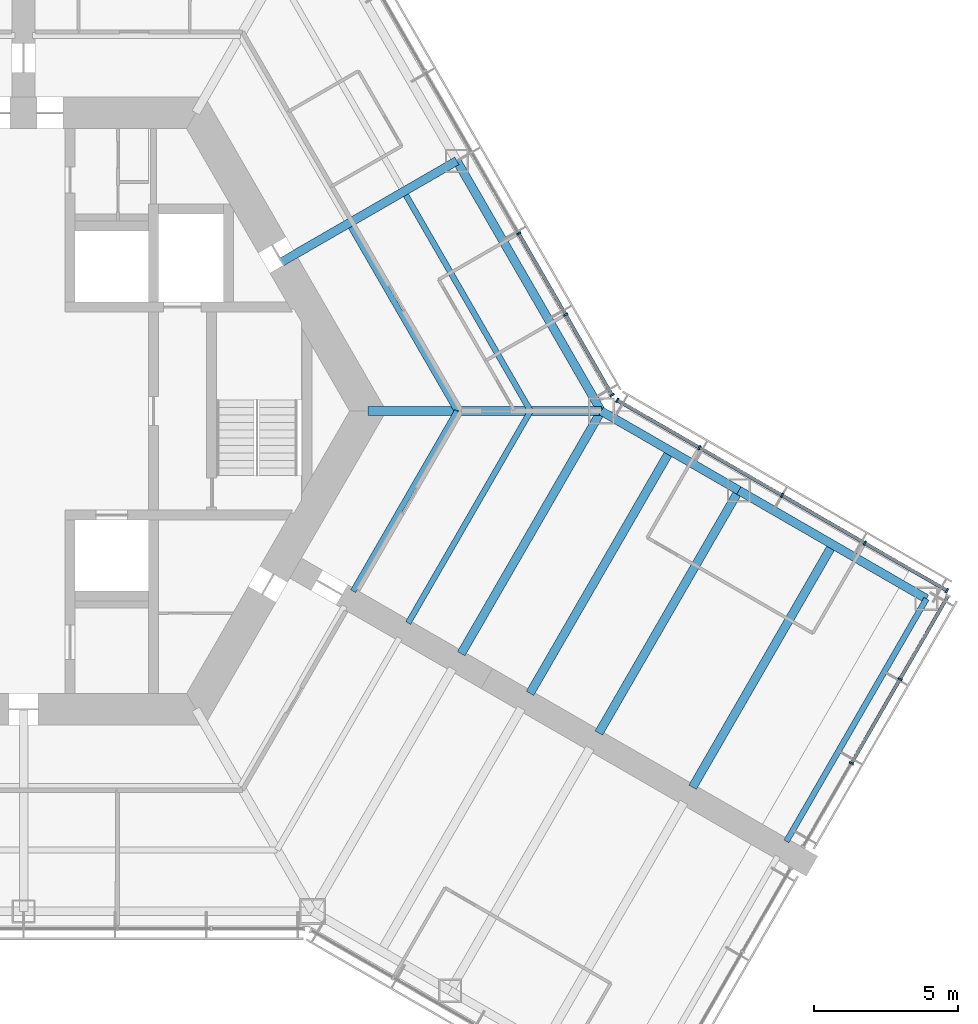
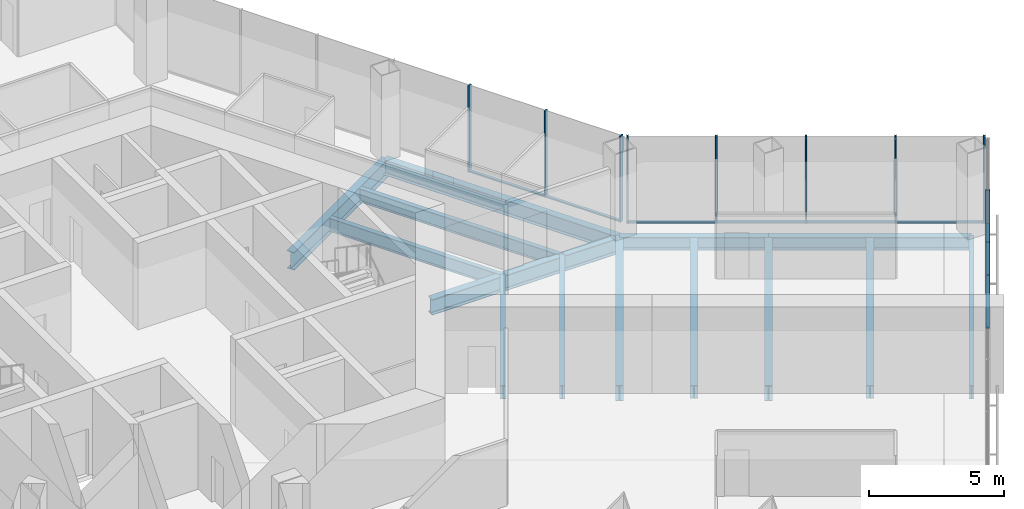
# One storey, part 6 of 18: 18 members, 14 beams, 3 elements without a shape of their own.
"""IFC4 building model written with IfcOpenShell, lengths in metres."""

from ifc_helpers import new_model, si_unit, direction, frame, origin, origin_2d, place, context, subcontext, project, spatial, rectangle, i_section, extrude, material, material_profile, profile_set, type_object, element, aggregate, save


model = new_model("IFC4")

# Units and contexts
model_context = context("Model", 3, precision=1e-05, world=origin(), true_north=direction((0.0, 1.0)))
body_context = subcontext(model_context, "Body", "Model", "MODEL_VIEW")
ifc_project = project(units=[si_unit("LENGTHUNIT", "METRE"), si_unit("AREAUNIT", "SQUARE_METRE"), si_unit("VOLUMEUNIT", "CUBIC_METRE"), si_unit("PLANEANGLEUNIT", "RADIAN"), si_unit("MASSUNIT", "GRAM", prefix="KILO")], contexts=[model_context])

# Site, building, storey
site_placement = place(None, origin())
site = spatial("IfcSite", under=ifc_project, at=site_placement, CompositionType="ELEMENT")
building_placement = place(site_placement, origin())
building = spatial("IfcBuilding", under=site, at=building_placement, Name="Kasaneha Research Tower", CompositionType="ELEMENT")
storey_placement = place(building_placement, frame((0.0, 0.0, 61.199951171875)))
storey = spatial("IfcBuildingStorey", under=building, at=storey_placement, Name="L15", CompositionType="ELEMENT", Elevation=61.199951171875)

# Beams
ifc_material_1 = material(Name="Steel SN490B", Category="steel")
ifc_material_profile_1 = material_profile(ifc_material_1, i_section(OverallWidth=0.199951171875, OverallDepth=0.60009765625, WebThickness=0.010986328125, FlangeThickness=0.01708984375, FilletRadius=0.012939453125, at=origin_2d()), Name="H-600x200x11x17")
ifc_profile_set_1 = profile_set([ifc_material_profile_1], Name="Steel SN490B")
beam_type_1 = type_object("IfcBeamType", Name="B1-3 secondary beam H-600x200x11x17", PredefinedType="JOIST", material=ifc_profile_set_1)
beam_1_placement = place(storey_placement, frame((15.010986328125, 0.0, -0.449951171875), z_axis=(-0.499994443168, 0.866028611999, 0.0), x_axis=(-0.866028611999, -0.499994443168, 0.0)))
element("IfcBeam", 1, at=beam_1_placement, inside=storey, type_object=beam_type_1, Name="Secondary beam RS030L1 L15", PredefinedType="JOIST", context=body_context, shape_type="SweptSolid", body=[
    extrude(i_section(OverallWidth=0.199951171875, OverallDepth=0.60009765625, WebThickness=0.010986328125, FlangeThickness=0.01708984375, FilletRadius=0.012939453125, at=origin_2d()), origin(), (0.0, 0.0, 1.0), 7.35546875),
])
beam_2_placement = place(storey_placement, frame((17.551513671875, 0.0, -0.449951171875), z_axis=(-0.5000050195, 0.866022505755, 0.0), x_axis=(-0.866022505755, -0.5000050195, 0.0)))
element("IfcBeam", 2, at=beam_2_placement, inside=storey, type_object=beam_type_1, Name="Secondary beam RS030L2 L15", PredefinedType="JOIST", context=body_context, shape_type="SweptSolid", body=[
    extrude(i_section(OverallWidth=0.199951171875, OverallDepth=0.60009765625, WebThickness=0.010986328125, FlangeThickness=0.01708984375, FilletRadius=0.012939453125, at=origin_2d()), origin(), (0.0, 0.0, 1.0), 8.6259765625),
])
beam_3_placement = place(storey_placement, frame((15.010986328125, 0.0, -0.449951171875), z_axis=(-0.499972735707, -0.866041144259, 0.0), x_axis=(0.866041144259, -0.499972735707, 0.0)))
element("IfcBeam", 3, at=beam_3_placement, inside=storey, type_object=beam_type_1, Name="Secondary beam RS330R1 L15", PredefinedType="JOIST", context=body_context, shape_type="SweptSolid", body=[
    extrude(i_section(OverallWidth=0.199951171875, OverallDepth=0.60009765625, WebThickness=0.010986328125, FlangeThickness=0.01708984375, FilletRadius=0.012939453125, at=origin_2d()), origin(), (0.0, 0.0, 1.0), 7.20556640625),
])
beam_4_placement = place(storey_placement, frame((17.551513671875, 0.0, -0.449951171875), z_axis=(-0.500020829043, -0.866013377797, 0.0), x_axis=(0.866013377797, -0.500020829043, 0.0)))
element("IfcBeam", 4, at=beam_4_placement, inside=storey, type_object=beam_type_1, Name="Secondary beam RS330R2 L15", PredefinedType="JOIST", context=body_context, shape_type="SweptSolid", body=[
    extrude(i_section(OverallWidth=0.199951171875, OverallDepth=0.60009765625, WebThickness=0.010986328125, FlangeThickness=0.01708984375, FilletRadius=0.012939453125, at=origin_2d()), origin(), (0.0, 0.0, 1.0), 8.475830078125),
])
ifc_material_2 = material(Name="Steel SN490B", Category="steel")
ifc_material_profile_2 = material_profile(ifc_material_2, i_section(OverallWidth=0.300048828125, OverallDepth=0.58203125, WebThickness=0.011962890625, FlangeThickness=0.01708984375, FilletRadius=0.012939453125, at=origin_2d()), Name="H-582x300x12x17")
ifc_profile_set_2 = profile_set([ifc_material_profile_2], Name="Steel SN490B")
beam_type_2 = type_object("IfcBeamType", Name="B2-3 secondary beam H-582x300x12x17", PredefinedType="JOIST", material=ifc_profile_set_2)
for number, where, z_axis, x_axis, name in (
    (5, (22.381591796875, -1.375, -0.44091796875), (-0.500010041276, -0.866019606374, 0.0), (0.866019606374, -0.500010041276, 0.0), "Secondary beam WBCN1 L15"),
    (6, (28.0107421875, -4.625, -0.44091796875), (-0.500010041276, -0.866019606374, 0.0), (0.866019606374, -0.500010041276, 0.0), "Secondary beam WBCN2 L15"),
):
    element("IfcBeam", number, at=place(storey_placement, frame(where, z_axis=z_axis, x_axis=x_axis)), inside=storey, type_object=beam_type_2, Name=name, PredefinedType="JOIST", context=body_context, shape_type="SweptSolid", body=[
        extrude(i_section(OverallWidth=0.300048828125, OverallDepth=0.58203125, WebThickness=0.011962890625, FlangeThickness=0.01708984375, FilletRadius=0.012939453125, at=origin_2d()), origin(), (0.0, 0.0, 1.0), 9.699951171875),
    ])

# Curtain wall, members
ifc_material_3 = material(Name="Glass and aluminium", Category="aluminium")
curtain_wall_type = type_object("IfcCurtainWallType", Name="Low-rise office curtain wall", PredefinedType="USERDEFINED", material=ifc_material_3)
curtain_wall_1_placement = place(storey_placement, origin())
curtain_wall_1 = element("IfcCurtainWall", 7, at=curtain_wall_1_placement, inside=storey, type_object=curtain_wall_type, Name="CW-O1 L15 run 05a", ObjectType="UNITISED CURTAIN WALL", PredefinedType="USERDEFINED")
ifc_material_4 = material(Name="Aluminium 6063-T6", Category="aluminium")
ifc_material_profile_3 = material_profile(ifc_material_4, rectangle(XDim=0.06005859375, YDim=0.159912109375, at=origin_2d()), Name="CW-O1 mullion 60x160")
ifc_profile_set_3 = profile_set([ifc_material_profile_3], Name="Aluminium 6063-T6")
member_type_1 = type_object("IfcMemberType", Name="CW-O1 mullion", PredefinedType="MULLION", material=ifc_profile_set_3)
member_1_placement = place(storey_placement, frame((28.661376953125, -12.1982421875, 0.0), z_axis=(0.0, 0.0, 1.0), x_axis=(0.500000011442, 0.866025397178, 0.0)))
member_1 = element("IfcMember", 8, at=member_1_placement, type_object=member_type_1, Name="CW-O1 mullion 2", PredefinedType="MULLION", context=body_context, shape_type="SweptSolid", body=[
    extrude(rectangle(XDim=0.06005859375, YDim=0.159912109375, at=origin_2d()), origin(), (0.0, 0.0, 1.0), 3.900146484375),
])
member_2_placement = place(storey_placement, frame((30.3447265625, -9.28271484375, 0.0), z_axis=(0.0, 0.0, 1.0), x_axis=(0.500000011442, 0.866025397178, 0.0)))
member_2 = element("IfcMember", 9, at=member_2_placement, type_object=member_type_1, Name="CW-O1 mullion 3", PredefinedType="MULLION", context=body_context, shape_type="SweptSolid", body=[
    extrude(rectangle(XDim=0.06005859375, YDim=0.159912109375, at=origin_2d()), origin(), (0.0, 0.0, 1.0), 3.900146484375),
])

curtain_wall_2_placement = place(storey_placement, origin())
curtain_wall_2 = element("IfcCurtainWall", 10, at=curtain_wall_2_placement, inside=storey, type_object=curtain_wall_type, Name="CW-O1 L15 run 06a", ObjectType="UNITISED CURTAIN WALL", PredefinedType="USERDEFINED")
member_3_placement = place(storey_placement, frame((31.96533203125, -6.21533203125, 0.0), z_axis=(0.0, 0.0, 1.0), x_axis=(-0.866025411464, 0.499999986699, 0.0)))
member_3 = element("IfcMember", 11, at=member_3_placement, type_object=member_type_1, Name="CW-O1 mullion 1", PredefinedType="MULLION", context=body_context, shape_type="SweptSolid", body=[
    extrude(rectangle(XDim=0.06005859375, YDim=0.159912109375, at=origin_2d()), origin(), (0.0, 0.0, 1.0), 3.900146484375),
])
member_4_placement = place(storey_placement, frame((29.125, -4.575439453125, 0.0), z_axis=(0.0, 0.0, 1.0), x_axis=(-0.866025411464, 0.499999986699, 0.0)))
member_4 = element("IfcMember", 12, at=member_4_placement, type_object=member_type_1, Name="CW-O1 mullion 2", PredefinedType="MULLION", context=body_context, shape_type="SweptSolid", body=[
    extrude(rectangle(XDim=0.06005859375, YDim=0.159912109375, at=origin_2d()), origin(), (0.0, 0.0, 1.0), 3.900146484375),
])
member_5_placement = place(storey_placement, frame((26.258544921875, -2.920654296875, 0.0), z_axis=(0.0, 0.0, 1.0), x_axis=(-0.866025411464, 0.499999986699, 0.0)))
member_5 = element("IfcMember", 13, at=member_5_placement, type_object=member_type_1, Name="CW-O1 mullion 3", PredefinedType="MULLION", context=body_context, shape_type="SweptSolid", body=[
    extrude(rectangle(XDim=0.06005859375, YDim=0.159912109375, at=origin_2d()), origin(), (0.0, 0.0, 1.0), 3.900146484375),
])
member_6_placement = place(storey_placement, frame((23.39208984375, -1.265625, 0.0), z_axis=(0.0, 0.0, 1.0), x_axis=(-0.866025411464, 0.499999986699, 0.0)))
member_6 = element("IfcMember", 14, at=member_6_placement, type_object=member_type_1, Name="CW-O1 mullion 4", PredefinedType="MULLION", context=body_context, shape_type="SweptSolid", body=[
    extrude(rectangle(XDim=0.06005859375, YDim=0.159912109375, at=origin_2d()), origin(), (0.0, 0.0, 1.0), 3.900146484375),
])
member_7_placement = place(storey_placement, frame((20.5517578125, 0.374267578125, 0.0), z_axis=(0.0, 0.0, 1.0), x_axis=(-0.866025411464, 0.499999986699, 0.0)))
member_7 = element("IfcMember", 15, at=member_7_placement, type_object=member_type_1, Name="CW-O1 mullion 5", PredefinedType="MULLION", context=body_context, shape_type="SweptSolid", body=[
    extrude(rectangle(XDim=0.06005859375, YDim=0.159912109375, at=origin_2d()), origin(), (0.0, 0.0, 1.0), 3.900146484375),
])

curtain_wall_3_placement = place(storey_placement, origin())
curtain_wall_3 = element("IfcCurtainWall", 16, at=curtain_wall_3_placement, inside=storey, type_object=curtain_wall_type, Name="CW-O1 L15 run 07a", ObjectType="UNITISED CURTAIN WALL", PredefinedType="USERDEFINED")
member_8_placement = place(storey_placement, frame((20.374267578125, 0.5517578125, 0.0), z_axis=(0.0, 0.0, 1.0), x_axis=(-0.49999996188, 0.866025425793, 0.0)))
member_8 = element("IfcMember", 17, at=member_8_placement, type_object=member_type_1, Name="CW-O1 mullion 1", PredefinedType="MULLION", context=body_context, shape_type="SweptSolid", body=[
    extrude(rectangle(XDim=0.06005859375, YDim=0.159912109375, at=origin_2d()), origin(), (0.0, 0.0, 1.0), 3.900146484375),
])
member_9_placement = place(storey_placement, frame((18.76611328125, 3.33740234375, 0.0), z_axis=(0.0, 0.0, 1.0), x_axis=(-0.49999996188, 0.866025425793, 0.0)))
member_9 = element("IfcMember", 18, at=member_9_placement, type_object=member_type_1, Name="CW-O1 mullion 2", PredefinedType="MULLION", context=body_context, shape_type="SweptSolid", body=[
    extrude(rectangle(XDim=0.06005859375, YDim=0.159912109375, at=origin_2d()), origin(), (0.0, 0.0, 1.0), 3.900146484375),
])
member_10_placement = place(storey_placement, frame((17.142822265625, 6.148681640625, 0.0), z_axis=(0.0, 0.0, 1.0), x_axis=(-0.49999996188, 0.866025425793, 0.0)))
member_10 = element("IfcMember", 19, at=member_10_placement, type_object=member_type_1, Name="CW-O1 mullion 3", PredefinedType="MULLION", context=body_context, shape_type="SweptSolid", body=[
    extrude(rectangle(XDim=0.06005859375, YDim=0.159912109375, at=origin_2d()), origin(), (0.0, 0.0, 1.0), 3.900146484375),
])

# Member
ifc_material_5 = material(Name="Aluminium 6063-T6", Category="aluminium")
ifc_material_profile_4 = material_profile(ifc_material_5, rectangle(XDim=0.1201171875, YDim=0.06005859375, at=origin_2d()), Name="CW-O1 transom 120x60")
ifc_profile_set_4 = profile_set([ifc_material_profile_4], Name="Aluminium 6063-T6")
member_type_2 = type_object("IfcMemberType", Name="CW-O1 transom", PredefinedType="USERDEFINED", material=ifc_profile_set_4)
member_11_placement = place(storey_placement, frame((28.67626953125, -12.17236328125, 0.030029296875), z_axis=(0.499982354831, 0.866035590988, 0.0), x_axis=(-0.866035590988, 0.499982354831, 0.0)))
member_11 = element("IfcMember", 20, at=member_11_placement, type_object=member_type_2, Name="CW-O1 transom 2", ObjectType="TRANSOM", PredefinedType="USERDEFINED", context=body_context, shape_type="SweptSolid", body=[
    extrude(rectangle(XDim=0.1201171875, YDim=0.06005859375, at=origin_2d()), origin(), (0.0, 0.0, 1.0), 3.306640625),
])

member_12_placement = place(storey_placement, frame((30.359619140625, -9.256591796875, 0.030029296875), z_axis=(0.500025583411, 0.866010632691, 0.0), x_axis=(-0.866010632691, 0.500025583411, 0.0)))
member_12 = element("IfcMember", 21, at=member_12_placement, type_object=member_type_2, Name="CW-O1 transom 3", ObjectType="TRANSOM", PredefinedType="USERDEFINED", context=body_context, shape_type="SweptSolid", body=[
    extrude(rectangle(XDim=0.1201171875, YDim=0.06005859375, at=origin_2d()), origin(), (0.0, 0.0, 1.0), 3.276611328125),
])

aggregate(curtain_wall_1, [member_1, member_2, member_11, member_12])

member_13_placement = place(storey_placement, frame((31.939453125, -6.200439453125, 0.030029296875), z_axis=(-0.866041647767, 0.499971863542, 0.0), x_axis=(-0.499971863542, -0.866041647767, 0.0)))
member_13 = element("IfcMember", 22, at=member_13_placement, type_object=member_type_2, Name="CW-O1 transom 1", ObjectType="TRANSOM", PredefinedType="USERDEFINED", context=body_context, shape_type="SweptSolid", body=[
    extrude(rectangle(XDim=0.1201171875, YDim=0.06005859375, at=origin_2d()), origin(), (0.0, 0.0, 1.0), 3.219970703125),
])

member_14_placement = place(storey_placement, frame((29.098876953125, -4.560546875, 0.030029296875), z_axis=(-0.86599666273, 0.500049777664, 0.0), x_axis=(-0.500049777664, -0.86599666273, 0.0)))
member_14 = element("IfcMember", 23, at=member_14_placement, type_object=member_type_2, Name="CW-O1 transom 2", ObjectType="TRANSOM", PredefinedType="USERDEFINED", context=body_context, shape_type="SweptSolid", body=[
    extrude(rectangle(XDim=0.1201171875, YDim=0.06005859375, at=origin_2d()), origin(), (0.0, 0.0, 1.0), 3.249755859375),
])

member_15_placement = place(storey_placement, frame((26.232666015625, -2.905517578125, 0.030029296875), z_axis=(-0.86604797581, 0.499960902066, 0.0), x_axis=(-0.499960902066, -0.86604797581, 0.0)))
member_15 = element("IfcMember", 24, at=member_15_placement, type_object=member_type_2, Name="CW-O1 transom 3", ObjectType="TRANSOM", PredefinedType="USERDEFINED", context=body_context, shape_type="SweptSolid", body=[
    extrude(rectangle(XDim=0.1201171875, YDim=0.06005859375, at=origin_2d()), origin(), (0.0, 0.0, 1.0), 3.249755859375),
])

member_16_placement = place(storey_placement, frame((23.3662109375, -1.250732421875, 0.030029296875), z_axis=(-0.866022692473, 0.500004696101, 0.0), x_axis=(-0.500004696101, -0.866022692473, 0.0)))
member_16 = element("IfcMember", 25, at=member_16_placement, type_object=member_type_2, Name="CW-O1 transom 4", ObjectType="TRANSOM", PredefinedType="USERDEFINED", context=body_context, shape_type="SweptSolid", body=[
    extrude(rectangle(XDim=0.1201171875, YDim=0.06005859375, at=origin_2d()), origin(), (0.0, 0.0, 1.0), 3.2197265625),
])

aggregate(curtain_wall_2, [member_3, member_4, member_5, member_6, member_7, member_13, member_14, member_15, member_16])

member_17_placement = place(storey_placement, frame((20.359130859375, 0.577880859375, 0.030029296875), z_axis=(-0.499999210213, 0.866025859768, 0.0), x_axis=(-0.866025859768, -0.499999210213, 0.0)))
member_17 = element("IfcMember", 26, at=member_17_placement, type_object=member_type_2, Name="CW-O1 transom 1", ObjectType="TRANSOM", PredefinedType="USERDEFINED", context=body_context, shape_type="SweptSolid", body=[
    extrude(rectangle(XDim=0.1201171875, YDim=0.06005859375, at=origin_2d()), origin(), (0.0, 0.0, 1.0), 3.15625),
])

member_18_placement = place(storey_placement, frame((18.7509765625, 3.36328125, 0.030029296875), z_axis=(-0.500012062035, 0.866018439653, 0.0), x_axis=(-0.866018439653, -0.500012062035, 0.0)))
member_18 = element("IfcMember", 27, at=member_18_placement, type_object=member_type_2, Name="CW-O1 transom 2", ObjectType="TRANSOM", PredefinedType="USERDEFINED", context=body_context, shape_type="SweptSolid", body=[
    extrude(rectangle(XDim=0.1201171875, YDim=0.06005859375, at=origin_2d()), origin(), (0.0, 0.0, 1.0), 3.1865234375),
])

aggregate(curtain_wall_3, [member_8, member_9, member_10, member_17, member_18])

# Beams
ifc_material_6 = material(Name="Steel SN490B", Category="steel")
ifc_material_profile_5 = material_profile(ifc_material_6, i_section(OverallWidth=0.300048828125, OverallDepth=0.699951171875, WebThickness=0.012939453125, FlangeThickness=0.02392578125, FilletRadius=0.01806640625, at=origin_2d()), Name="H-700x300x13x24")
ifc_profile_set_5 = profile_set([ifc_material_profile_5], Name="Steel SN490B")
beam_type_3 = type_object("IfcBeamType", Name="G1-3 radial girder H-700x300x13x24", PredefinedType="BEAM", material=ifc_profile_set_5)
beam_5_placement = place(storey_placement, frame((11.92236328125, 0.0, -0.5), z_axis=(1.0, 0.0, 0.0), x_axis=(0.0, 1.0, 0.0)))
element("IfcBeam", 28, at=beam_5_placement, inside=storey, type_object=beam_type_3, Name="Radial girder RV000 L15", PredefinedType="BEAM", context=body_context, shape_type="SweptSolid", body=[
    extrude(i_section(OverallWidth=0.300048828125, OverallDepth=0.699951171875, WebThickness=0.012939453125, FlangeThickness=0.02392578125, FilletRadius=0.01806640625, at=origin_2d()), origin(), (0.0, 0.0, 1.0), 8.07763671875),
])
ifc_material_7 = material(Name="Steel SN490B", Category="steel")
ifc_material_profile_6 = material_profile(ifc_material_7, i_section(OverallWidth=0.300048828125, OverallDepth=0.800048828125, WebThickness=0.013916015625, FlangeThickness=0.02587890625, FilletRadius=0.01806640625, at=origin_2d()), Name="H-800x300x14x26")
ifc_profile_set_6 = profile_set([ifc_material_profile_6], Name="Steel SN490B")
beam_type_4 = type_object("IfcBeamType", Name="G2-3 radial girder H-800x300x14x26", PredefinedType="BEAM", material=ifc_profile_set_6)
beam_6_placement = place(storey_placement, frame((8.941650390625, 5.16259765625, -0.550048828125), z_axis=(0.866039713508, 0.499975214012, 0.0), x_axis=(-0.499975214012, 0.866039713508, 0.0)))
element("IfcBeam", 29, at=beam_6_placement, inside=storey, type_object=beam_type_4, Name="Radial girder RM030 L15", PredefinedType="BEAM", context=body_context, shape_type="SweptSolid", body=[
    extrude(i_section(OverallWidth=0.300048828125, OverallDepth=0.800048828125, WebThickness=0.013916015625, FlangeThickness=0.02587890625, FilletRadius=0.01806640625, at=origin_2d()), origin(), (0.0, 0.0, 1.0), 6.995361328125),
])
ifc_material_8 = material(Name="Steel SN490B", Category="steel")
ifc_material_profile_7 = material_profile(ifc_material_8, i_section(OverallWidth=0.300048828125, OverallDepth=0.69189453125, WebThickness=0.012939453125, FlangeThickness=0.02001953125, FilletRadius=0.01806640625, at=origin_2d()), Name="H-692x300x13x20")
ifc_profile_set_7 = profile_set([ifc_material_profile_7], Name="Steel SN490B")
beam_type_5 = type_object("IfcBeamType", Name="G3-3 plate edge girder H-692x300x13x20", PredefinedType="BEAM", material=ifc_profile_set_7)
beam_7_placement = place(storey_placement, frame((20.0, 0.0, -0.495849609375), z_axis=(-0.500010041276, -0.866019606374, 0.0), x_axis=(0.866019606374, -0.500010041276, 0.0)))
element("IfcBeam", 30, at=beam_7_placement, inside=storey, type_object=beam_type_5, Name="Plate edge girder PECN L15", PredefinedType="BEAM", context=body_context, shape_type="SweptSolid", body=[
    extrude(i_section(OverallWidth=0.300048828125, OverallDepth=0.69189453125, WebThickness=0.012939453125, FlangeThickness=0.02001953125, FilletRadius=0.01806640625, at=origin_2d()), origin(), (0.0, 0.0, 1.0), 9.699951171875),
])
ifc_material_9 = material(Name="Steel SN490B", Category="steel")
ifc_material_profile_8 = material_profile(ifc_material_9, i_section(OverallWidth=0.300048828125, OverallDepth=0.699951171875, WebThickness=0.012939453125, FlangeThickness=0.02392578125, FilletRadius=0.01806640625, at=origin_2d()), Name="H-700x300x13x24")
ifc_profile_set_8 = profile_set([ifc_material_profile_8], Name="Steel SN490B")
beam_type_6 = type_object("IfcBeamType", Name="G4-3 wing girder H-700x300x13x24", PredefinedType="BEAM", material=ifc_profile_set_8)
beam_8_placement = place(storey_placement, frame((24.76318359375, -2.75, -0.5), z_axis=(-0.500010041276, -0.866019606374, 0.0), x_axis=(0.866019606374, -0.500010041276, 0.0)))
element("IfcBeam", 31, at=beam_8_placement, inside=storey, type_object=beam_type_6, Name="Wing girder WGCN L15", PredefinedType="BEAM", context=body_context, shape_type="SweptSolid", body=[
    extrude(i_section(OverallWidth=0.300048828125, OverallDepth=0.699951171875, WebThickness=0.012939453125, FlangeThickness=0.02392578125, FilletRadius=0.01806640625, at=origin_2d()), origin(), (0.0, 0.0, 1.0), 9.699951171875),
])
ifc_material_10 = material(Name="Steel SN490B", Category="steel")
ifc_material_profile_9 = material_profile(ifc_material_10, i_section(OverallWidth=0.300048828125, OverallDepth=0.69189453125, WebThickness=0.012939453125, FlangeThickness=0.02001953125, FilletRadius=0.01806640625, at=origin_2d()), Name="H-692x300x13x20")
ifc_profile_set_9 = profile_set([ifc_material_profile_9], Name="Steel SN490B")
beam_type_7 = type_object("IfcBeamType", Name="SB1-3 spandrel beam H-692x300x13x20", PredefinedType="SPANDREL", material=ifc_profile_set_9)
beam_9_placement = place(storey_placement, frame((20.0, 0.0, -0.495849609375), z_axis=(-0.500004234368, 0.866022959057, 0.0), x_axis=(-0.866022959057, -0.500004234368, 0.0)))
element("IfcBeam", 32, at=beam_9_placement, inside=storey, type_object=beam_type_7, Name="Spandrel beam SR030L L15", PredefinedType="SPANDREL", context=body_context, shape_type="SweptSolid", body=[
    extrude(i_section(OverallWidth=0.300048828125, OverallDepth=0.69189453125, WebThickness=0.012939453125, FlangeThickness=0.02001953125, FilletRadius=0.01806640625, at=origin_2d()), origin(), (0.0, 0.0, 1.0), 10.0),
])
ifc_material_11 = material(Name="Steel SN490B", Category="steel")
ifc_material_profile_10 = material_profile(ifc_material_11, i_section(OverallWidth=0.300048828125, OverallDepth=0.58203125, WebThickness=0.011962890625, FlangeThickness=0.01708984375, FilletRadius=0.012939453125, at=origin_2d()), Name="H-582x300x12x17")
ifc_profile_set_10 = profile_set([ifc_material_profile_10], Name="Steel SN490B")
beam_type_8 = type_object("IfcBeamType", Name="SB2-3 spandrel beam H-582x300x12x17", PredefinedType="SPANDREL", material=ifc_profile_set_10)
beam_10_placement = place(storey_placement, frame((20.0, 0.0, -0.44091796875), z_axis=(0.866027397988, -0.499996545922, 0.0), x_axis=(0.499996545922, 0.866027397988, 0.0)))
element("IfcBeam", 33, at=beam_10_placement, inside=storey, type_object=beam_type_8, Name="Spandrel beam WSCN1 L15", PredefinedType="SPANDREL", context=body_context, shape_type="SweptSolid", body=[
    extrude(i_section(OverallWidth=0.300048828125, OverallDepth=0.58203125, WebThickness=0.011962890625, FlangeThickness=0.01708984375, FilletRadius=0.012939453125, at=origin_2d()), origin(), (0.0, 0.0, 1.0), 5.5),
])
beam_11_placement = place(storey_placement, frame((24.76318359375, -2.75, -0.44091796875), z_axis=(0.866022959057, -0.500004234368, 0.0), x_axis=(0.500004234368, 0.866022959057, 0.0)))
element("IfcBeam", 34, at=beam_11_placement, inside=storey, type_object=beam_type_8, Name="Spandrel beam WSCN2 L15", PredefinedType="SPANDREL", context=body_context, shape_type="SweptSolid", body=[
    extrude(i_section(OverallWidth=0.300048828125, OverallDepth=0.58203125, WebThickness=0.011962890625, FlangeThickness=0.01708984375, FilletRadius=0.012939453125, at=origin_2d()), origin(), (0.0, 0.0, 1.0), 7.5),
])
ifc_material_12 = material(Name="Steel SN490B", Category="steel")
ifc_material_profile_11 = material_profile(ifc_material_12, i_section(OverallWidth=0.199951171875, OverallDepth=0.60009765625, WebThickness=0.010986328125, FlangeThickness=0.01708984375, FilletRadius=0.012939453125, at=origin_2d()), Name="H-600x200x11x17")
ifc_profile_set_11 = profile_set([ifc_material_profile_11], Name="Steel SN490B")
beam_type_9 = type_object("IfcBeamType", Name="SB3-3 spandrel beam H-600x200x11x17", PredefinedType="SPANDREL", material=ifc_profile_set_11)
beam_12_placement = place(storey_placement, frame((31.25830078125, -6.5, -0.449951171875), z_axis=(-0.499991164321, -0.866030505006, 0.0), x_axis=(0.866030505006, -0.499991164321, 0.0)))
element("IfcBeam", 35, at=beam_12_placement, inside=storey, type_object=beam_type_9, Name="Spandrel beam WTCN L15", PredefinedType="SPANDREL", context=body_context, shape_type="SweptSolid", body=[
    extrude(i_section(OverallWidth=0.199951171875, OverallDepth=0.60009765625, WebThickness=0.010986328125, FlangeThickness=0.01708984375, FilletRadius=0.012939453125, at=origin_2d()), origin(), (0.0, 0.0, 1.0), 9.699951171875),
])

save(model, "model.ifc")
